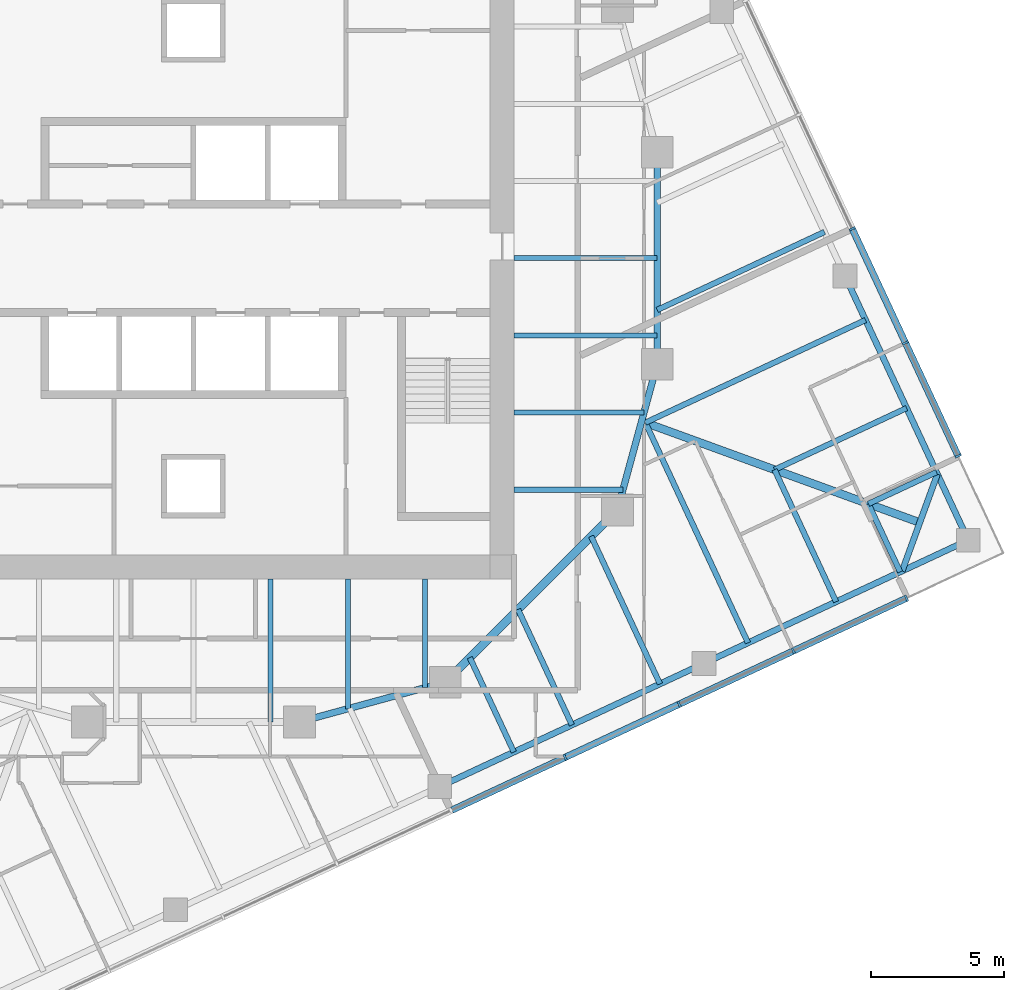
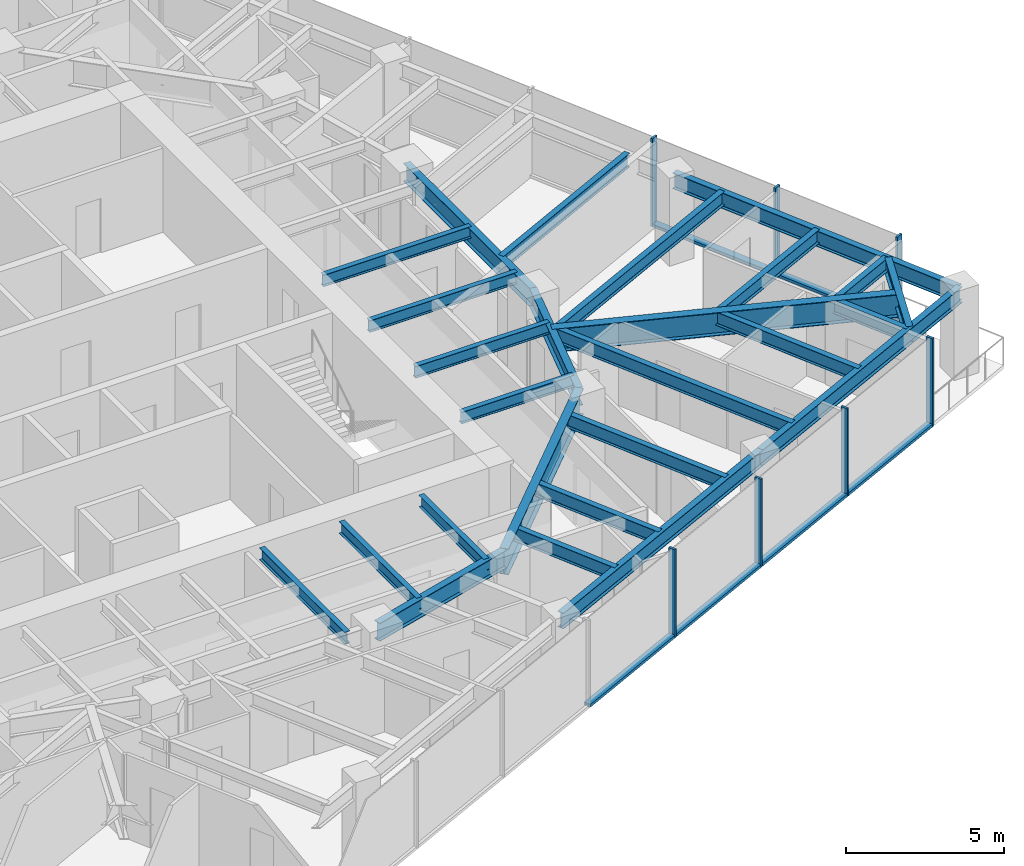
# One storey, part 3 of 13: 26 beams, 13 members, 2 elements without a shape of their own.
"""IFC4 building model written with IfcOpenShell, lengths in metres."""

from ifc_helpers import new_model, si_unit, direction, frame, origin, origin_2d, place, context, subcontext, project, spatial, rectangle, i_section, extrude, material, material_profile, profile_set, type_object, element, aggregate, save


model = new_model("IFC4")

# Units and contexts
model_context = context("Model", 3, precision=1e-05, world=origin(), true_north=direction((0.0, 1.0)))
body_context = subcontext(model_context, "Body", "Model", "MODEL_VIEW")
ifc_project = project(units=[si_unit("LENGTHUNIT", "METRE"), si_unit("AREAUNIT", "SQUARE_METRE"), si_unit("VOLUMEUNIT", "CUBIC_METRE"), si_unit("PLANEANGLEUNIT", "RADIAN"), si_unit("MASSUNIT", "GRAM", prefix="KILO")], contexts=[model_context])

# Site, building, storey
site_placement = place(None, origin())
site = spatial("IfcSite", under=ifc_project, at=site_placement, CompositionType="ELEMENT")
building_placement = place(site_placement, origin())
building = spatial("IfcBuilding", under=site, at=building_placement, Name="Torsade Residences", CompositionType="ELEMENT")
storey_placement = place(building_placement, frame((0.0, 0.0, 182.800048828125)))
storey = spatial("IfcBuildingStorey", under=building, at=storey_placement, Name="L50", CompositionType="ELEMENT", Elevation=182.800048828125)

# Beams
ifc_material_1 = material(Name="Steel grade 300", Category="steel")
ifc_material_profile_1 = material_profile(ifc_material_1, i_section(OverallWidth=0.300048828125, OverallDepth=0.89990234375, WebThickness=0.011962890625, FlangeThickness=0.02490234375, at=origin_2d()), Name="900WB175")
ifc_profile_set_1 = profile_set([ifc_material_profile_1], Name="Steel grade 300")
beam_type_1 = type_object("IfcBeamType", Name="CORNER GIRDER 900WB175", PredefinedType="BEAM", material=ifc_profile_set_1)
beam_1_placement = place(storey_placement, frame((67.4091796875, 20.02392578125, 2.800048828125), z_axis=(-0.93969447651, 0.342015044723, 0.0), x_axis=(-0.342015044723, -0.93969447651, 0.0)))
element("IfcBeam", 1, at=beam_1_placement, inside=storey, type_object=beam_type_1, Name="Corner girder 05 L51", PredefinedType="BEAM", context=body_context, shape_type="SweptSolid", body=[
    extrude(i_section(OverallWidth=0.300048828125, OverallDepth=0.89990234375, WebThickness=0.011962890625, FlangeThickness=0.02490234375, at=origin_2d()), origin(), (0.0, 0.0, 1.0), 11.170654296875),
])
ifc_material_2 = material(Name="Steel grade 300", Category="steel")
ifc_material_profile_2 = material_profile(ifc_material_2, i_section(OverallWidth=0.22802734375, OverallDepth=0.60205078125, WebThickness=0.010498046875, FlangeThickness=0.014892578125, FilletRadius=0.013916015625, at=origin_2d()), Name="610UB101")
ifc_profile_set_2 = profile_set([ifc_material_profile_2], Name="Steel grade 300")
beam_type_2 = type_object("IfcBeamType", Name="CORNER TRIMMER 610UB101", PredefinedType="BEAM", material=ifc_profile_set_2)
beam_2_placement = place(storey_placement, frame((68.07421875, 21.85107421875, 2.948974609375), z_axis=(-0.342005152204, -0.939698076972, 0.0), x_axis=(0.939698076972, -0.342005152204, 0.0)))
element("IfcBeam", 2, at=beam_2_placement, inside=storey, type_object=beam_type_2, Name="Corner trimmer 05 L51", PredefinedType="BEAM", context=body_context, shape_type="SweptSolid", body=[
    extrude(i_section(OverallWidth=0.22802734375, OverallDepth=0.60205078125, WebThickness=0.010498046875, FlangeThickness=0.014892578125, FilletRadius=0.013916015625, at=origin_2d()), origin(), (0.0, 0.0, 1.0), 3.88916015625),
])
ifc_material_3 = material(Name="Steel grade 300", Category="steel")
ifc_material_profile_3 = material_profile(ifc_material_3, i_section(OverallWidth=0.22900390625, OverallDepth=0.612060546875, WebThickness=0.011962890625, FlangeThickness=0.01953125, FilletRadius=0.013916015625, at=origin_2d()), Name="610UB125")
ifc_profile_set_3 = profile_set([ifc_material_profile_3], Name="Steel grade 300")
beam_type_3 = type_object("IfcBeamType", Name="EDGE BEAM 610UB125", PredefinedType="SPANDREL", material=ifc_profile_set_3)
for number, where, z_axis, x_axis, name in (
    (3, (49.297607421875, 10.061279296875, 2.94384765625), (0.906313510001, 0.422605988587, 0.0), (-0.422605988587, 0.906313510001, 0.0), "Edge beam 03 L51"),
    (4, (59.26708984375, 14.7099609375, 2.94384765625), (0.90630104482, 0.422632720171, 0.0), (-0.422632720171, 0.90630104482, 0.0), "Edge beam 04 L51"),
):
    element("IfcBeam", number, at=place(storey_placement, frame(where, z_axis=z_axis, x_axis=x_axis)), inside=storey, type_object=beam_type_3, Name=name, PredefinedType="SPANDREL", context=body_context, shape_type="SweptSolid", body=[
        extrude(i_section(OverallWidth=0.22900390625, OverallDepth=0.612060546875, WebThickness=0.011962890625, FlangeThickness=0.01953125, FilletRadius=0.013916015625, at=origin_2d()), origin(), (0.0, 0.0, 1.0), 11.0),
    ])
beam_3_placement = place(storey_placement, frame((69.236328125, 19.35888671875, 2.94384765625), z_axis=(-0.422614489543, 0.906309546032, 0.0), x_axis=(-0.906309546032, -0.422614489543, 0.0)))
element("IfcBeam", 5, at=beam_3_placement, inside=storey, type_object=beam_type_3, Name="Edge beam 05 L51", PredefinedType="SPANDREL", context=body_context, shape_type="SweptSolid", body=[
    extrude(i_section(OverallWidth=0.22900390625, OverallDepth=0.612060546875, WebThickness=0.011962890625, FlangeThickness=0.01953125, FilletRadius=0.013916015625, at=origin_2d()), origin(), (0.0, 0.0, 1.0), 10.999755859375),
])
ifc_material_4 = material(Name="Steel grade 300", Category="steel")
ifc_material_profile_4 = material_profile(ifc_material_4, i_section(OverallWidth=0.18994140625, OverallDepth=0.4541015625, WebThickness=0.008544921875, FlangeThickness=0.0126953125, FilletRadius=0.011474609375, at=origin_2d()), Name="460UB67.1")
ifc_profile_set_4 = profile_set([ifc_material_profile_4], Name="Steel grade 300")
beam_type_4 = type_object("IfcBeamType", Name="INNER FLOOR BEAM 460UB67.1", PredefinedType="JOIST", material=ifc_profile_set_4)
beam_4_placement = place(storey_placement, frame((48.737548828125, 17.89990234375, 3.02294921875), z_axis=(0.0, -1.0, 0.0), x_axis=(1.0, 0.0, 0.0)))
element("IfcBeam", 6, at=beam_4_placement, inside=storey, type_object=beam_type_4, Name="Inner floor beam IS01 L51", PredefinedType="JOIST", context=body_context, shape_type="SweptSolid", body=[
    extrude(i_section(OverallWidth=0.18994140625, OverallDepth=0.4541015625, WebThickness=0.008544921875, FlangeThickness=0.0126953125, FilletRadius=0.011474609375, at=origin_2d()), origin(), (0.0, 0.0, 1.0), 4.10791015625),
])
beam_5_placement = place(storey_placement, frame((45.824951171875, 17.89990234375, 3.02294921875), z_axis=(0.0, -1.0, 0.0), x_axis=(1.0, 0.0, 0.0)))
element("IfcBeam", 7, at=beam_5_placement, inside=storey, type_object=beam_type_4, Name="Inner floor beam IS02 L51", PredefinedType="JOIST", context=body_context, shape_type="SweptSolid", body=[
    extrude(i_section(OverallWidth=0.18994140625, OverallDepth=0.4541015625, WebThickness=0.008544921875, FlangeThickness=0.0126953125, FilletRadius=0.011474609375, at=origin_2d()), origin(), (0.0, 0.0, 1.0), 4.902099609375),
])
beam_6_placement = place(storey_placement, frame((42.91259765625, 17.89990234375, 3.02294921875), z_axis=(0.0, -1.0, 0.0), x_axis=(1.0, 0.0, 0.0)))
element("IfcBeam", 8, at=beam_6_placement, inside=storey, type_object=beam_type_4, Name="Inner floor beam IS03 L51", PredefinedType="JOIST", context=body_context, shape_type="SweptSolid", body=[
    extrude(i_section(OverallWidth=0.18994140625, OverallDepth=0.4541015625, WebThickness=0.008544921875, FlangeThickness=0.0126953125, FilletRadius=0.011474609375, at=origin_2d()), origin(), (0.0, 0.0, 1.0), 5.39990234375),
])
beam_7_placement = place(storey_placement, frame((52.10009765625, 21.262451171875, 3.02294921875), z_axis=(1.0, 0.0, 0.0), x_axis=(0.0, 1.0, 0.0)))
element("IfcBeam", 9, at=beam_7_placement, inside=storey, type_object=beam_type_4, Name="Inner floor beam IE01 L51", PredefinedType="JOIST", context=body_context, shape_type="SweptSolid", body=[
    extrude(i_section(OverallWidth=0.18994140625, OverallDepth=0.4541015625, WebThickness=0.008544921875, FlangeThickness=0.0126953125, FilletRadius=0.011474609375, at=origin_2d()), origin(), (0.0, 0.0, 1.0), 4.10791015625),
])
beam_8_placement = place(storey_placement, frame((52.10009765625, 24.175048828125, 3.02294921875), z_axis=(1.0, 0.0, 0.0), x_axis=(0.0, 1.0, 0.0)))
element("IfcBeam", 10, at=beam_8_placement, inside=storey, type_object=beam_type_4, Name="Inner floor beam IE02 L51", PredefinedType="JOIST", context=body_context, shape_type="SweptSolid", body=[
    extrude(i_section(OverallWidth=0.18994140625, OverallDepth=0.4541015625, WebThickness=0.008544921875, FlangeThickness=0.0126953125, FilletRadius=0.011474609375, at=origin_2d()), origin(), (0.0, 0.0, 1.0), 4.902099609375),
])
for number, where, z_axis, x_axis, name in (
    (11, (52.10009765625, 27.08740234375, 3.02294921875), (1.0, 0.0, 0.0), (0.0, 1.0, 0.0), "Inner floor beam IE03 L51"),
    (12, (52.10009765625, 30.0, 3.02294921875), (1.0, 0.0, 0.0), (0.0, 1.0, 0.0), "Inner floor beam IE04 L51"),
):
    element("IfcBeam", number, at=place(storey_placement, frame(where, z_axis=z_axis, x_axis=x_axis)), inside=storey, type_object=beam_type_4, Name=name, PredefinedType="JOIST", context=body_context, shape_type="SweptSolid", body=[
        extrude(i_section(OverallWidth=0.18994140625, OverallDepth=0.4541015625, WebThickness=0.008544921875, FlangeThickness=0.0126953125, FilletRadius=0.011474609375, at=origin_2d()), origin(), (0.0, 0.0, 1.0), 5.39990234375),
    ])

# Curtain wall, members
ifc_material_5 = material(Name="Aluminium and glass", Category="aluminium")
curtain_wall_type = type_object("IfcCurtainWallType", Name="FRITTED GLASS CURTAIN WALL MID ZONE", PredefinedType="NOTDEFINED", material=ifc_material_5)
curtain_wall_1_placement = place(storey_placement, origin())
curtain_wall_1 = element("IfcCurtainWall", 13, at=curtain_wall_1_placement, inside=storey, type_object=curtain_wall_type, Name="Curtain wall L50 face 1", PredefinedType="NOTDEFINED")
ifc_material_6 = material(Name="Aluminium mullion", Category="aluminium")
ifc_material_profile_5 = material_profile(ifc_material_6, rectangle(XDim=0.25, YDim=0.080078125, at=origin_2d()), Name="MID ZONE CURTAIN WALL MULLION 250x80")
ifc_profile_set_5 = profile_set([ifc_material_profile_5], Name="Aluminium mullion")
member_type_1 = type_object("IfcMemberType", Name="MID ZONE CURTAIN WALL MULLION 250x80", PredefinedType="MULLION", material=ifc_profile_set_5)
member_1_placement = place(storey_placement, frame((54.025146484375, 11.162353515625, 0.0), z_axis=(0.0, 0.0, 1.0), x_axis=(-0.422618261978, 0.906307786926, 0.0)))
member_1 = element("IfcMember", 14, at=member_1_placement, type_object=member_type_1, Name="Mullion 6", PredefinedType="MULLION", context=body_context, shape_type="SweptSolid", body=[
    extrude(rectangle(XDim=0.25, YDim=0.080078125, at=origin_2d()), origin(), (0.0, 0.0, 1.0), 3.39990234375),
])
member_2_placement = place(storey_placement, frame((58.330078125, 13.169677734375, 0.0), z_axis=(0.0, 0.0, 1.0), x_axis=(-0.422618261978, 0.906307786926, 0.0)))
member_2 = element("IfcMember", 15, at=member_2_placement, type_object=member_type_1, Name="Mullion 7", PredefinedType="MULLION", context=body_context, shape_type="SweptSolid", body=[
    extrude(rectangle(XDim=0.25, YDim=0.080078125, at=origin_2d()), origin(), (0.0, 0.0, 1.0), 3.39990234375),
])
member_3_placement = place(storey_placement, frame((62.635009765625, 15.17724609375, 0.0), z_axis=(0.0, 0.0, 1.0), x_axis=(-0.422618261978, 0.906307786926, 0.0)))
member_3 = element("IfcMember", 16, at=member_3_placement, type_object=member_type_1, Name="Mullion 8", PredefinedType="MULLION", context=body_context, shape_type="SweptSolid", body=[
    extrude(rectangle(XDim=0.25, YDim=0.080078125, at=origin_2d()), origin(), (0.0, 0.0, 1.0), 3.39990234375),
])
member_4_placement = place(storey_placement, frame((66.90380859375, 17.167724609375, 0.0), z_axis=(0.0, 0.0, 1.0), x_axis=(-0.422618261978, 0.906307786926, 0.0)))
member_4 = element("IfcMember", 17, at=member_4_placement, type_object=member_type_1, Name="Mullion 9", PredefinedType="MULLION", context=body_context, shape_type="SweptSolid", body=[
    extrude(rectangle(XDim=0.25, YDim=0.080078125, at=origin_2d()), origin(), (0.0, 0.0, 1.0), 3.39990234375),
])

curtain_wall_2_placement = place(storey_placement, origin())
curtain_wall_2 = element("IfcCurtainWall", 18, at=curtain_wall_2_placement, inside=storey, type_object=curtain_wall_type, Name="Curtain wall L50 face 4", PredefinedType="NOTDEFINED")
member_5_placement = place(storey_placement, frame((68.85791015625, 22.53662109375, 0.0), z_axis=(0.0, 0.0, 1.0), x_axis=(-0.906307786926, -0.422618261978, 0.0)))
member_5 = element("IfcMember", 19, at=member_5_placement, type_object=member_type_1, Name="Mullion 1", PredefinedType="MULLION", context=body_context, shape_type="SweptSolid", body=[
    extrude(rectangle(XDim=0.25, YDim=0.080078125, at=origin_2d()), origin(), (0.0, 0.0, 1.0), 3.39990234375),
])
member_6_placement = place(storey_placement, frame((66.867431640625, 26.805419921875, 0.0), z_axis=(0.0, 0.0, 1.0), x_axis=(-0.906307786926, -0.422618261978, 0.0)))
member_6 = element("IfcMember", 20, at=member_6_placement, type_object=member_type_1, Name="Mullion 2", PredefinedType="MULLION", context=body_context, shape_type="SweptSolid", body=[
    extrude(rectangle(XDim=0.25, YDim=0.080078125, at=origin_2d()), origin(), (0.0, 0.0, 1.0), 3.39990234375),
])
member_7_placement = place(storey_placement, frame((64.85986328125, 31.1103515625, 0.0), z_axis=(0.0, 0.0, 1.0), x_axis=(-0.906307786926, -0.422618261978, 0.0)))
member_7 = element("IfcMember", 21, at=member_7_placement, type_object=member_type_1, Name="Mullion 3", PredefinedType="MULLION", context=body_context, shape_type="SweptSolid", body=[
    extrude(rectangle(XDim=0.25, YDim=0.080078125, at=origin_2d()), origin(), (0.0, 0.0, 1.0), 3.39990234375),
])

# Member
ifc_material_7 = material(Name="Aluminium transom", Category="aluminium")
ifc_material_profile_6 = material_profile(ifc_material_7, rectangle(XDim=0.25, YDim=0.110107421875, at=origin_2d()), Name="MID ZONE CURTAIN WALL TRANSOM 250x110")
ifc_profile_set_6 = profile_set([ifc_material_profile_6], Name="Aluminium transom")
member_type_2 = type_object("IfcMemberType", Name="MID ZONE CURTAIN WALL TRANSOM 250x110", PredefinedType="USERDEFINED", material=ifc_profile_set_6)
member_8_placement = place(storey_placement, frame((49.756591796875, 9.171875, 0.054931640625), z_axis=(0.906305976097, 0.422622145291, 0.0), x_axis=(-0.422622145291, 0.906305976097, 0.0)))
member_8 = element("IfcMember", 22, at=member_8_placement, type_object=member_type_2, Name="Transom 5.1", ObjectType="TRANSOM", PredefinedType="USERDEFINED", context=body_context, shape_type="SweptSolid", body=[
    extrude(rectangle(XDim=0.25, YDim=0.110107421875, at=origin_2d()), origin(), (0.0, 0.0, 1.0), 4.669921875),
])

member_9_placement = place(storey_placement, frame((54.0615234375, 11.17919921875, 0.054931640625), z_axis=(0.906305976097, 0.422622145291, 0.0), x_axis=(-0.422622145291, 0.906305976097, 0.0)))
member_9 = element("IfcMember", 23, at=member_9_placement, type_object=member_type_2, Name="Transom 6.1", ObjectType="TRANSOM", PredefinedType="USERDEFINED", context=body_context, shape_type="SweptSolid", body=[
    extrude(rectangle(XDim=0.25, YDim=0.110107421875, at=origin_2d()), origin(), (0.0, 0.0, 1.0), 4.669921875),
])

member_10_placement = place(storey_placement, frame((58.366455078125, 13.186767578125, 0.054931640625), z_axis=(0.906305976097, 0.422622145291, 0.0), x_axis=(-0.422622145291, 0.906305976097, 0.0)))
member_10 = element("IfcMember", 24, at=member_10_placement, type_object=member_type_2, Name="Transom 7.1", ObjectType="TRANSOM", PredefinedType="USERDEFINED", context=body_context, shape_type="SweptSolid", body=[
    extrude(rectangle(XDim=0.25, YDim=0.110107421875, at=origin_2d()), origin(), (0.0, 0.0, 1.0), 4.669921875),
])

member_11_placement = place(storey_placement, frame((62.67138671875, 15.194091796875, 0.054931640625), z_axis=(0.906305687176, 0.422622764878, 0.0), x_axis=(-0.422622764878, 0.906305687176, 0.0)))
member_11 = element("IfcMember", 25, at=member_11_placement, type_object=member_type_2, Name="Transom 8.1", ObjectType="TRANSOM", PredefinedType="USERDEFINED", context=body_context, shape_type="SweptSolid", body=[
    extrude(rectangle(XDim=0.25, YDim=0.110107421875, at=origin_2d()), origin(), (0.0, 0.0, 1.0), 4.630126953125),
])

aggregate(curtain_wall_1, [member_1, member_2, member_3, member_4, member_8, member_9, member_10, member_11])

member_12_placement = place(storey_placement, frame((68.841064453125, 22.572998046875, 0.054931640625), z_axis=(-0.422642962277, 0.906296268578, 0.0), x_axis=(-0.906296268578, -0.422642962277, 0.0)))
member_12 = element("IfcMember", 26, at=member_12_placement, type_object=member_type_2, Name="Transom 1.1", ObjectType="TRANSOM", PredefinedType="USERDEFINED", context=body_context, shape_type="SweptSolid", body=[
    extrude(rectangle(XDim=0.25, YDim=0.110107421875, at=origin_2d()), origin(), (0.0, 0.0, 1.0), 4.6298828125),
])

member_13_placement = place(storey_placement, frame((66.8505859375, 26.841552734375, 0.054931640625), z_axis=(-0.422622145291, 0.906305976097, 0.0), x_axis=(-0.906305976097, -0.422622145291, 0.0)))
member_13 = element("IfcMember", 27, at=member_13_placement, type_object=member_type_2, Name="Transom 2.1", ObjectType="TRANSOM", PredefinedType="USERDEFINED", context=body_context, shape_type="SweptSolid", body=[
    extrude(rectangle(XDim=0.25, YDim=0.110107421875, at=origin_2d()), origin(), (0.0, 0.0, 1.0), 4.669921875),
])

aggregate(curtain_wall_2, [member_5, member_6, member_7, member_12, member_13])

# Beams
ifc_material_8 = material(Name="Steel grade 300", Category="steel")
ifc_material_profile_7 = material_profile(ifc_material_8, i_section(OverallWidth=0.300048828125, OverallDepth=1.0, WebThickness=0.01611328125, FlangeThickness=0.028076171875, at=origin_2d()), Name="1000WB215")
ifc_profile_set_7 = profile_set([ifc_material_profile_7], Name="Steel grade 300")
beam_type_5 = type_object("IfcBeamType", Name="RING CORNER GIRDER 1000WB215", PredefinedType="BEAM", material=ifc_profile_set_7)
beam_9_placement = place(storey_placement, frame((49.5, 14.0, 2.75), z_axis=(0.707106781187, 0.707106781187, 0.0), x_axis=(-0.707106781187, 0.707106781187, 0.0)))
element("IfcBeam", 28, at=beam_9_placement, inside=storey, type_object=beam_type_5, Name="Ring girder IR15 L51", PredefinedType="BEAM", context=body_context, shape_type="SweptSolid", body=[
    extrude(i_section(OverallWidth=0.300048828125, OverallDepth=1.0, WebThickness=0.01611328125, FlangeThickness=0.028076171875, at=origin_2d()), origin(), (0.0, 0.0, 1.0), 9.1923828125),
])
ifc_material_9 = material(Name="Steel grade 300", Category="steel")
ifc_material_profile_8 = material_profile(ifc_material_9, i_section(OverallWidth=0.25, OverallDepth=0.699951171875, WebThickness=0.010009765625, FlangeThickness=0.02001953125, at=origin_2d()), Name="700WB130")
ifc_profile_set_8 = profile_set([ifc_material_profile_8], Name="Steel grade 300")
beam_type_6 = type_object("IfcBeamType", Name="RING GIRDER 700WB130", PredefinedType="BEAM", material=ifc_profile_set_8)
beam_10_placement = place(storey_placement, frame((57.5, 26.0, 2.89990234375), z_axis=(0.0, 1.0, 0.0), x_axis=(-1.0, 0.0, 0.0)))
element("IfcBeam", 29, at=beam_10_placement, inside=storey, type_object=beam_type_6, Name="Ring girder IR01 L51", PredefinedType="BEAM", context=body_context, shape_type="SweptSolid", body=[
    extrude(i_section(OverallWidth=0.25, OverallDepth=0.699951171875, WebThickness=0.010009765625, FlangeThickness=0.02001953125, at=origin_2d()), origin(), (0.0, 0.0, 1.0), 8.0),
])
for number, where, z_axis, x_axis, name in (
    (30, (44.0, 12.5, 2.89990234375), (0.964763821238, 0.263117405792, 0.0), (-0.263117405792, 0.964763821238, 0.0), "Ring girder IR14 L51"),
    (31, (56.0, 20.5, 2.89990234375), (0.263117405792, 0.964763821238, 0.0), (-0.964763821238, 0.263117405792, 0.0), "Ring girder IR16 L51"),
):
    element("IfcBeam", number, at=place(storey_placement, frame(where, z_axis=z_axis, x_axis=x_axis)), inside=storey, type_object=beam_type_6, Name=name, PredefinedType="BEAM", context=body_context, shape_type="SweptSolid", body=[
        extrude(i_section(OverallWidth=0.25, OverallDepth=0.699951171875, WebThickness=0.010009765625, FlangeThickness=0.02001953125, at=origin_2d()), origin(), (0.0, 0.0, 1.0), 5.700927734375),
    ])
ifc_material_10 = material(Name="Steel grade 300", Category="steel")
ifc_material_profile_9 = material_profile(ifc_material_10, i_section(OverallWidth=0.208984375, OverallDepth=0.528076171875, WebThickness=0.009521484375, FlangeThickness=0.01318359375, FilletRadius=0.013916015625, at=origin_2d()), Name="530UB82.0")
ifc_profile_set_9 = profile_set([ifc_material_profile_9], Name="Steel grade 300")
beam_type_7 = type_object("IfcBeamType", Name="SECONDARY BEAM 530UB82.0", PredefinedType="JOIST", material=ifc_profile_set_9)
beam_11_placement = place(storey_placement, frame((52.092041015625, 11.3642578125, 2.98583984375), z_axis=(-0.422644222818, 0.906295680735, 0.0), x_axis=(-0.906295680735, -0.422644222818, 0.0)))
element("IfcBeam", 32, at=beam_11_placement, inside=storey, type_object=beam_type_7, Name="Floor beam FS07 L51", PredefinedType="JOIST", context=body_context, shape_type="SweptSolid", body=[
    extrude(i_section(OverallWidth=0.208984375, OverallDepth=0.528076171875, WebThickness=0.009521484375, FlangeThickness=0.01318359375, FilletRadius=0.013916015625, at=origin_2d()), origin(), (0.0, 0.0, 1.0), 3.933837890625),
])
beam_12_placement = place(storey_placement, frame((54.2822265625, 12.3857421875, 2.98583984375), z_axis=(-0.422618876857, 0.906307500203, 0.0), x_axis=(-0.906307500203, -0.422618876857, 0.0)))
element("IfcBeam", 33, at=beam_12_placement, inside=storey, type_object=beam_type_7, Name="Floor beam FS08 L51", PredefinedType="JOIST", context=body_context, shape_type="SweptSolid", body=[
    extrude(i_section(OverallWidth=0.208984375, OverallDepth=0.528076171875, WebThickness=0.009521484375, FlangeThickness=0.01318359375, FilletRadius=0.013916015625, at=origin_2d()), origin(), (0.0, 0.0, 1.0), 4.813232421875),
])
beam_13_placement = place(storey_placement, frame((57.60546875, 13.935302734375, 2.98583984375), z_axis=(-0.42264848683, 0.906293692233, 0.0), x_axis=(-0.906293692233, -0.42264848683, 0.0)))
element("IfcBeam", 34, at=beam_13_placement, inside=storey, type_object=beam_type_7, Name="Floor beam FS09 L51", PredefinedType="JOIST", context=body_context, shape_type="SweptSolid", body=[
    extrude(i_section(OverallWidth=0.208984375, OverallDepth=0.528076171875, WebThickness=0.009521484375, FlangeThickness=0.01318359375, FilletRadius=0.013916015625, at=origin_2d()), origin(), (0.0, 0.0, 1.0), 6.14794921875),
])
beam_14_placement = place(storey_placement, frame((60.928466796875, 15.48486328125, 2.98583984375), z_axis=(-0.422618627092, 0.90630761667, 0.0), x_axis=(-0.90630761667, -0.422618627092, 0.0)))
element("IfcBeam", 35, at=beam_14_placement, inside=storey, type_object=beam_type_7, Name="Floor beam FS10 L51", PredefinedType="JOIST", context=body_context, shape_type="SweptSolid", body=[
    extrude(i_section(OverallWidth=0.208984375, OverallDepth=0.528076171875, WebThickness=0.009521484375, FlangeThickness=0.01318359375, FilletRadius=0.013916015625, at=origin_2d()), origin(), (0.0, 0.0, 1.0), 9.166748046875),
])
beam_15_placement = place(storey_placement, frame((64.251708984375, 17.034423828125, 2.98583984375), z_axis=(-0.422632720171, 0.90630104482, 0.0), x_axis=(-0.90630104482, -0.422632720171, 0.0)))
element("IfcBeam", 36, at=beam_15_placement, inside=storey, type_object=beam_type_7, Name="Floor beam FS11 L51", PredefinedType="JOIST", context=body_context, shape_type="SweptSolid", body=[
    extrude(i_section(OverallWidth=0.208984375, OverallDepth=0.528076171875, WebThickness=0.009521484375, FlangeThickness=0.01318359375, FilletRadius=0.013916015625, at=origin_2d()), origin(), (0.0, 0.0, 1.0), 5.5),
])
for number, where, z_axis, x_axis, name in (
    (37, (66.66845703125, 18.161376953125, 2.98583984375), (-0.42257409885, 0.906328379221, 0.0), (-0.906328379221, -0.42257409885, 0.0), "Floor beam FS12 L51"),
    (38, (68.0390625, 21.9267578125, 2.98583984375), (-0.906295375613, -0.422644877104, 0.0), (0.422644877104, -0.906295375613, 0.0), "Floor beam FE01 L51"),
):
    element("IfcBeam", number, at=place(storey_placement, frame(where, z_axis=z_axis, x_axis=x_axis)), inside=storey, type_object=beam_type_7, Name=name, PredefinedType="JOIST", context=body_context, shape_type="SweptSolid", body=[
        extrude(i_section(OverallWidth=0.208984375, OverallDepth=0.528076171875, WebThickness=0.009521484375, FlangeThickness=0.01318359375, FilletRadius=0.013916015625, at=origin_2d()), origin(), (0.0, 0.0, 1.0), 2.833251953125),
    ])
beam_16_placement = place(storey_placement, frame((66.911865234375, 24.343505859375, 2.98583984375), z_axis=(-0.90630104482, -0.422632720171, 0.0), x_axis=(0.422632720171, -0.90630104482, 0.0)))
element("IfcBeam", 39, at=beam_16_placement, inside=storey, type_object=beam_type_7, Name="Floor beam FE02 L51", PredefinedType="JOIST", context=body_context, shape_type="SweptSolid", body=[
    extrude(i_section(OverallWidth=0.208984375, OverallDepth=0.528076171875, WebThickness=0.009521484375, FlangeThickness=0.01318359375, FilletRadius=0.013916015625, at=origin_2d()), origin(), (0.0, 0.0, 1.0), 5.5),
])
beam_17_placement = place(storey_placement, frame((65.3623046875, 27.666748046875, 2.98583984375), z_axis=(-0.90630761667, -0.422618627092, 0.0), x_axis=(0.422618627092, -0.90630761667, 0.0)))
element("IfcBeam", 40, at=beam_17_placement, inside=storey, type_object=beam_type_7, Name="Floor beam FE03 L51", PredefinedType="JOIST", context=body_context, shape_type="SweptSolid", body=[
    extrude(i_section(OverallWidth=0.208984375, OverallDepth=0.528076171875, WebThickness=0.009521484375, FlangeThickness=0.01318359375, FilletRadius=0.013916015625, at=origin_2d()), origin(), (0.0, 0.0, 1.0), 9.166748046875),
])
beam_18_placement = place(storey_placement, frame((63.812744140625, 30.98974609375, 2.98583984375), z_axis=(-0.906312044376, -0.422609131726, 0.0), x_axis=(0.422609131726, -0.906312044376, 0.0)))
element("IfcBeam", 41, at=beam_18_placement, inside=storey, type_object=beam_type_7, Name="Floor beam FE04 L51", PredefinedType="JOIST", context=body_context, shape_type="SweptSolid", body=[
    extrude(i_section(OverallWidth=0.208984375, OverallDepth=0.528076171875, WebThickness=0.009521484375, FlangeThickness=0.01318359375, FilletRadius=0.013916015625, at=origin_2d()), origin(), (0.0, 0.0, 1.0), 6.96533203125),
])

save(model, "model.ifc")
